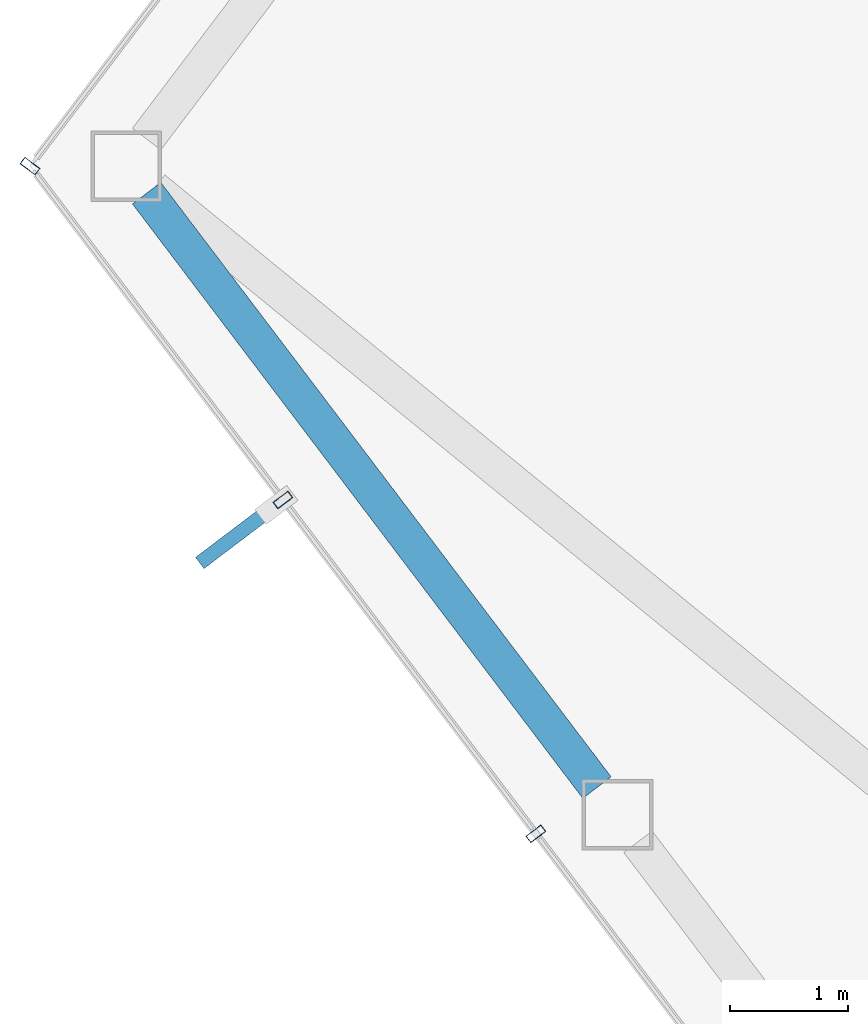
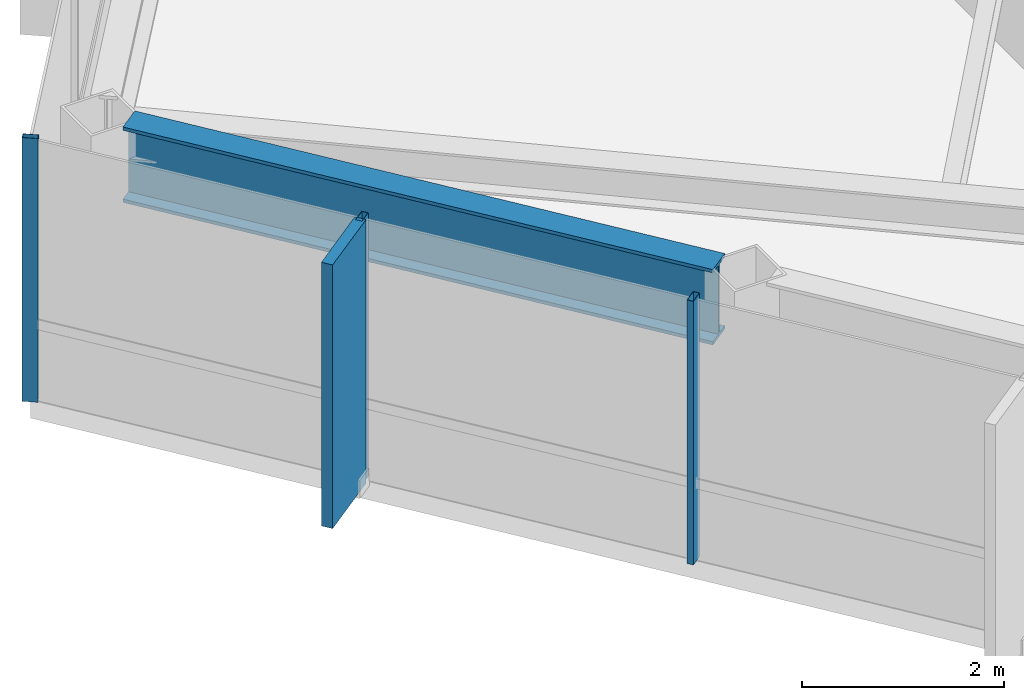
# One storey, part 10 of 28: 4 members, 1 beam, 2 elements without a shape of their own.
"""IFC4 building model written with IfcOpenShell, lengths in metres."""

from ifc_helpers import new_model, si_unit, direction, frame, origin, origin_2d, place, context, subcontext, project, spatial, rectangle, hollow_rectangle, i_section, extrude, material, layer, layer_set, material_profile, profile_set, type_object, element, aggregate, save


model = new_model("IFC4")

# Units and contexts
model_context = context("Model", 3, precision=1e-05, world=origin(), true_north=direction((0.0, 1.0)))
body_context = subcontext(model_context, "Body", "Model", "MODEL_VIEW")
ifc_project = project(units=[si_unit("LENGTHUNIT", "METRE"), si_unit("AREAUNIT", "SQUARE_METRE"), si_unit("VOLUMEUNIT", "CUBIC_METRE"), si_unit("PLANEANGLEUNIT", "RADIAN"), si_unit("MASSUNIT", "GRAM", prefix="KILO")], contexts=[model_context])

# Site, building, storey
site_placement = place(None, origin())
site = spatial("IfcSite", under=ifc_project, at=site_placement, CompositionType="ELEMENT")
building_placement = place(site_placement, origin())
building = spatial("IfcBuilding", under=site, at=building_placement, Name="Zarrinselat Tower", CompositionType="ELEMENT")
storey_placement = place(building_placement, frame((0.0, 0.0, 218.9599609375)))
storey = spatial("IfcBuildingStorey", under=building, at=storey_placement, Name="L54", CompositionType="ELEMENT", Elevation=218.9599609375)

# Beam
ifc_material_1 = material(Name="Steel S460M", Category="steel")
ifc_material_profile_1 = material_profile(ifc_material_1, i_section(OverallWidth=0.302001953125, OverallDepth=0.909912109375, WebThickness=0.02099609375, FlangeThickness=0.0400390625, at=origin_2d()), Name="HEM 900")
ifc_profile_set_1 = profile_set([ifc_material_profile_1], Name="Steel S460M")
beam_type = type_object("IfcBeamType", Name="BM-HEM900", PredefinedType="BEAM", material=ifc_profile_set_1)
beam_placement = place(storey_placement, frame((16.115966796875, 40.54248046875, 2.72509765625), z_axis=(0.603852486481, -0.797096088668, 0.0), x_axis=(0.797096088668, 0.603852486481, 0.0)))
element("IfcBeam", 1, at=beam_placement, inside=storey, type_object=beam_type, Name="L54 Perimeter Spandrel Girder SP06", PredefinedType="BEAM", context=body_context, shape_type="SweptSolid", body=[
    extrude(i_section(OverallWidth=0.302001953125, OverallDepth=0.909912109375, WebThickness=0.02099609375, FlangeThickness=0.0400390625, at=origin_2d()), origin(), (0.0, 0.0, 1.0), 6.32568359375),
])

# Curtain wall, member
ifc_material_2 = material(Name="Extruded Aluminium Alloy EN AW-6063 T6", Category="aluminium")
ifc_layer = layer(ifc_material_2, 0.169921875)
ifc_layer_set = layer_set([ifc_layer], Name="Extruded Aluminium Alloy EN AW-6063 T6")
curtain_wall_type = type_object("IfcCurtainWallType", Name="CWS-RES", PredefinedType="NOTDEFINED", material=ifc_layer_set)
curtain_wall_1_placement = place(storey_placement, origin())
curtain_wall_1 = element("IfcCurtainWall", 2, at=curtain_wall_1_placement, inside=storey, type_object=curtain_wall_type, Name="L54 Unitised Curtain Wall CW-L54-E02", PredefinedType="NOTDEFINED")
ifc_material_3 = material(Name="Extruded Aluminium Alloy EN AW-6063 T6", Category="aluminium")
ifc_material_profile_2 = material_profile(ifc_material_3, hollow_rectangle(XDim=0.070068359375, YDim=0.159912109375, WallThickness=0.00390625, at=origin_2d()), Name="RHS 160x70x4")
ifc_profile_set_2 = profile_set([ifc_material_profile_2], Name="Extruded Aluminium Alloy EN AW-6063 T6")
member_type_1 = type_object("IfcMemberType", Name="MEM-CW-MUL2", PredefinedType="MULLION", material=ifc_profile_set_2)
member_1_placement = place(storey_placement, frame((15.126708984375, 40.77197265625, 0.0), z_axis=(0.0, 0.0, 1.0), x_axis=(-0.603865236347, -0.79708642965, 0.0)))
member_1 = element("IfcMember", 3, at=member_1_placement, type_object=member_type_1, Name="CW-L54-E02 Mullion 3", PredefinedType="MULLION", context=body_context, shape_type="SweptSolid", body=[
    extrude(hollow_rectangle(XDim=0.070068359375, YDim=0.159912109375, WallThickness=0.00390625, at=origin_2d()), origin(), (0.0, 0.0, 1.0), 3.179931640625),
])
aggregate(curtain_wall_1, [member_1])

# Curtain wall, members
curtain_wall_2_placement = place(storey_placement, origin())
curtain_wall_2 = element("IfcCurtainWall", 4, at=curtain_wall_2_placement, inside=storey, type_object=curtain_wall_type, Name="L54 Unitised Curtain Wall CW-L54-E03", PredefinedType="NOTDEFINED")
member_2_placement = place(storey_placement, frame((17.27197265625, 37.940185546875, 0.0), z_axis=(0.0, 0.0, 1.0), x_axis=(0.603859787908, -0.797090557307, 0.0)))
member_2 = element("IfcMember", 5, at=member_2_placement, type_object=member_type_1, Name="CW-L54-E03 Mullion 1", PredefinedType="MULLION", context=body_context, shape_type="SweptSolid", body=[
    extrude(hollow_rectangle(XDim=0.070068359375, YDim=0.159912109375, WallThickness=0.00390625, at=origin_2d()), origin(), (0.0, 0.0, 1.0), 3.179931640625),
])
member_3_placement = place(storey_placement, frame((19.41748046875, 35.108154296875, 0.0), z_axis=(0.0, 0.0, 1.0), x_axis=(0.603859787908, -0.797090557307, 0.0)))
member_3 = element("IfcMember", 6, at=member_3_placement, type_object=member_type_1, Name="CW-L54-E03 Mullion 2", PredefinedType="MULLION", context=body_context, shape_type="SweptSolid", body=[
    extrude(hollow_rectangle(XDim=0.070068359375, YDim=0.159912109375, WallThickness=0.00390625, at=origin_2d()), origin(), (0.0, 0.0, 1.0), 3.179931640625),
])
ifc_material_4 = material(Name="Honed Cream Travertine Stone", Category="masonry")
ifc_material_profile_3 = material_profile(ifc_material_4, rectangle(XDim=0.1201171875, YDim=0.85009765625, at=origin_2d()), Name="FIN 850x120")
ifc_profile_set_3 = profile_set([ifc_material_profile_3], Name="Honed Cream Travertine Stone")
member_type_2 = type_object("IfcMemberType", Name="MEM-STONE-FIN", PredefinedType="USERDEFINED", material=ifc_profile_set_3)
member_4_placement = place(storey_placement, frame((16.9052734375, 37.662353515625, 0.0), z_axis=(0.0, 0.0, 1.0), x_axis=(-0.603859787908, 0.797090557307, 0.0)))
member_4 = element("IfcMember", 7, at=member_4_placement, type_object=member_type_2, Name="L54 Stone Shading Fin CW-L54-E03-01", ObjectType="FIN", PredefinedType="USERDEFINED", context=body_context, shape_type="SweptSolid", body=[
    extrude(rectangle(XDim=0.1201171875, YDim=0.85009765625, at=origin_2d()), origin(), (0.0, 0.0, 1.0), 3.179931640625),
])
aggregate(curtain_wall_2, [member_2, member_4, member_3])

save(model, "model.ifc")
